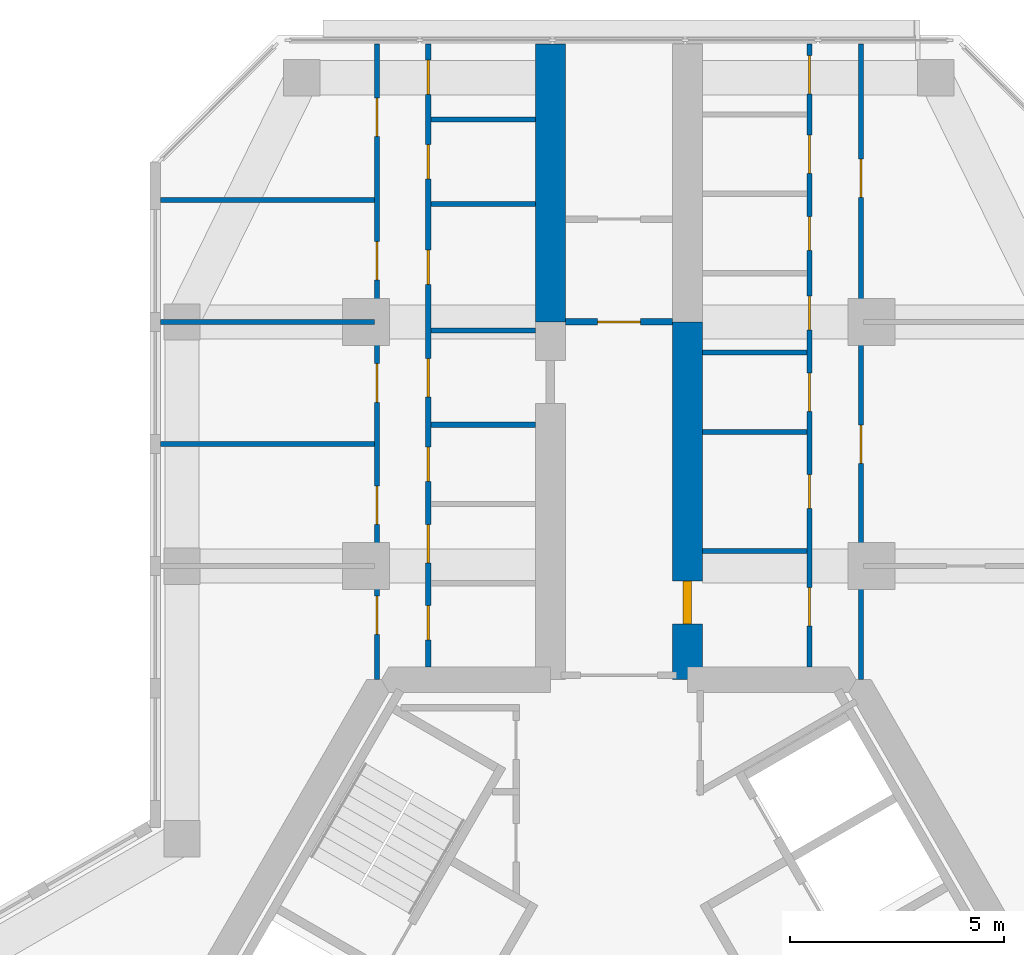
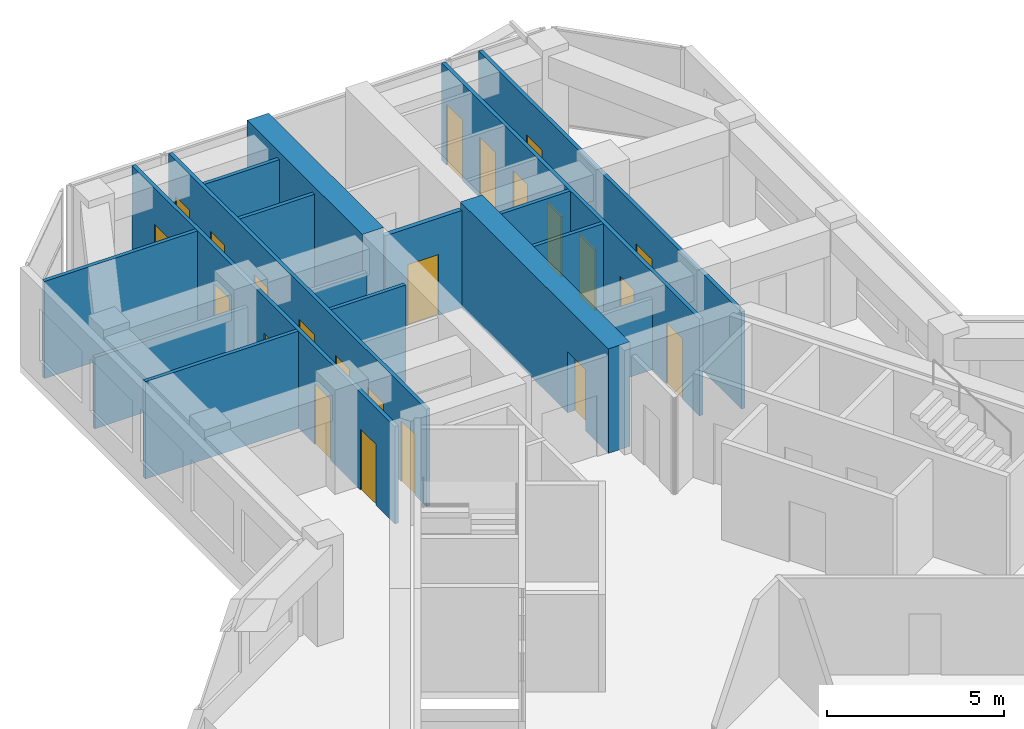
# One storey, part 14 of 16: 23 doors, 17 walls, 23 openings.
"""IFC4 building model written with IfcOpenShell, lengths in metres."""

from ifc_helpers import new_model, si_unit, direction, frame, frame_2d, origin, place, context, subcontext, project, spatial, rectangle, extrude, material, layer, layer_set, type_object, element, fill, save


model = new_model("IFC4")

# Units and contexts
model_context = context("Model", 3, precision=1e-05, world=origin(), true_north=direction((0.0, 1.0)))
body_context = subcontext(model_context, "Body", "Model", "MODEL_VIEW")
ifc_project = project(units=[si_unit("LENGTHUNIT", "METRE"), si_unit("AREAUNIT", "SQUARE_METRE"), si_unit("VOLUMEUNIT", "CUBIC_METRE"), si_unit("PLANEANGLEUNIT", "RADIAN"), si_unit("MASSUNIT", "GRAM", prefix="KILO")], contexts=[model_context])

# Site, building, storey
site_placement = place(None, origin())
site = spatial("IfcSite", under=ifc_project, at=site_placement, CompositionType="ELEMENT")
building_placement = place(site_placement, origin())
building = spatial("IfcBuilding", under=site, at=building_placement, Name="Kosmar Iwan School Tower", CompositionType="ELEMENT")
storey_placement = place(building_placement, frame((0.0, 0.0, 242.39990234375)))
storey = spatial("IfcBuildingStorey", under=building, at=storey_placement, Name="L61", CompositionType="ELEMENT", Elevation=242.39990234375)

# Wall
ifc_material_1 = material(Name="Concrete C50/60", Category="concrete")
ifc_layer_1 = layer(ifc_material_1, 0.699951171875)
ifc_layer_set_1 = layer_set([ifc_layer_1], Name="Corridor buttress wall 700")
wall_type_1 = type_object("IfcWallType", Name="Corridor buttress wall 700", PredefinedType="SHEAR", material=ifc_layer_set_1)
wall_1_placement = place(storey_placement, frame((-1.60009765625, 17.949951171875, 0.0), z_axis=(0.0, 0.0, 1.0), x_axis=(0.0, 1.0, 0.0)))
element("IfcWall", 1, at=wall_1_placement, inside=storey, type_object=wall_type_1, Name="Corridor wall AL bay 2", PredefinedType="SHEAR", context=body_context, shape_type="SweptSolid", body=[
    extrude(rectangle(XDim=6.4951171875, YDim=0.699951171875, at=frame_2d((3.24755859375, 0.0))), origin(), (0.0, 0.0, 1.0), 3.60009765625),
])

# Wall, opening, door
wall_2_placement = place(storey_placement, frame((1.60009765625, 9.60009765625, 0.0), z_axis=(0.0, 0.0, 1.0), x_axis=(0.0, 1.0, 0.0)))
wall_2 = element("IfcWall", 2, at=wall_2_placement, inside=storey, type_object=wall_type_1, Name="Corridor wall AR", PredefinedType="SHEAR", context=body_context, shape_type="SweptSolid", body=[
    extrude(rectangle(XDim=8.349853515625, YDim=0.699951171875, at=frame_2d((4.1748046875, 0.0))), origin(), (0.0, 0.0, 1.0), 3.60009765625),
])
opening_1_placement = place(wall_2_placement, frame((1.300048828125, 0.0, 0.0)))
opening_1 = element("IfcOpeningElement", 3, at=opening_1_placement, cuts=wall_2, Name="Opening D1", PredefinedType="OPENING", context=body_context, shape_type="SweptSolid", body=[
    extrude(rectangle(XDim=1.0, YDim=2.10009765625, at=frame_2d((0.5, 1.050048828125))), frame((0.0, 0.362060546875, 0.0), z_axis=(0.0, -1.0, 0.0), x_axis=(1.0, 0.0, 0.0)), (0.0, 0.0, 1.0), 0.723876953125),
])
ifc_material_2 = material(Name="Timber fire door in steel frame", Category="steel")
door_type_1 = type_object("IfcDoorType", Name="Flat entrance door 1000x2100", OperationType="SINGLE_SWING_LEFT", PredefinedType="DOOR", material=ifc_material_2)
door_1_placement = place(opening_1_placement, origin())
door_1 = element("IfcDoor", 4, at=door_1_placement, inside=storey, type_object=door_type_1, Name="Flat L61-AR1 entrance door", OperationType="SINGLE_SWING_LEFT", OverallHeight=2.10009765625, OverallWidth=1.0, PredefinedType="DOOR", context=body_context, shape_type="SweptSolid", body=[
    extrude(rectangle(XDim=1.0, YDim=2.10009765625, at=frame_2d((0.5, 1.050048828125))), frame((0.0, 0.10009765625, 0.0), z_axis=(0.0, -1.0, 0.0), x_axis=(1.0, 0.0, 0.0)), (0.0, 0.0, 1.0), 0.199951171875),
])
fill(opening_1, door_1)

ifc_material_3 = material(Name="Gypsum board on steel studs, fire-rated", Category="steel")
ifc_layer_2 = layer(ifc_material_3, 0.14990234375)
ifc_layer_set_2 = layer_set([ifc_layer_2], Name="Corridor end wall 150")
wall_type_2 = type_object("IfcWallType", Name="Corridor end wall 150", PredefinedType="PARTITIONING", material=ifc_layer_set_2)
wall_3_placement = place(storey_placement, frame((1.25, 17.949951171875, 0.0), z_axis=(0.0, 0.0, 1.0), x_axis=(-1.0, 0.0, 0.0)))
wall_3 = element("IfcWall", 5, at=wall_3_placement, inside=storey, type_object=wall_type_2, Name="Partition L61-A-HW", PredefinedType="PARTITIONING", context=body_context, shape_type="SweptSolid", body=[
    extrude(rectangle(XDim=2.5, YDim=0.14990234375, at=frame_2d((1.25, 0.0))), origin(), (0.0, 0.0, 1.0), 3.35009765625),
])
opening_2_placement = place(wall_3_placement, frame((0.75, 0.0, 0.0)))
opening_2 = element("IfcOpeningElement", 6, at=opening_2_placement, cuts=wall_3, Name="Opening D13", PredefinedType="OPENING", context=body_context, shape_type="SweptSolid", body=[
    extrude(rectangle(XDim=1.0, YDim=2.10009765625, at=frame_2d((0.5, 1.050048828125))), frame((0.0, 0.0869140625, 0.0), z_axis=(0.0, -1.0, 0.0), x_axis=(1.0, 0.0, 0.0)), (0.0, 0.0, 1.0), 0.173828125),
])
ifc_material_4 = material(Name="Timber fire door with vision panel", Category="wood")
door_type_2 = type_object("IfcDoorType", Name="Corridor end door 1000x2100", OperationType="SINGLE_SWING_LEFT", PredefinedType="DOOR", material=ifc_material_4)
door_2_placement = place(opening_2_placement, origin())
door_2 = element("IfcDoor", 7, at=door_2_placement, inside=storey, type_object=door_type_2, Name="Entrance door L61-A", OperationType="SINGLE_SWING_LEFT", OverallHeight=2.10009765625, OverallWidth=1.0, PredefinedType="DOOR", context=body_context, shape_type="SweptSolid", body=[
    extrude(rectangle(XDim=1.0, YDim=2.10009765625, at=frame_2d((0.5, 1.050048828125))), frame((0.0, 0.02490234375, 0.0), z_axis=(0.0, -1.0, 0.0), x_axis=(1.0, 0.0, 0.0)), (0.0, 0.0, 1.0), 0.050048828125),
])
fill(opening_2, door_2)

# Wall, openings, doors
ifc_material_5 = material(Name="Gypsum board on steel studs", Category="steel")
ifc_layer_3 = layer(ifc_material_5, 0.1201171875)
ifc_layer_set_3 = layer_set([ifc_layer_3], Name="Dwelling partition 120")
wall_type_3 = type_object("IfcWallType", Name="Dwelling partition 120", PredefinedType="PARTITIONING", material=ifc_layer_set_3)
wall_4_placement = place(storey_placement, frame((-4.449951171875, 9.89990234375, 0.0), z_axis=(0.0, 0.0, 1.0), x_axis=(0.0, 1.0, 0.0)))
wall_4 = element("IfcWall", 8, at=wall_4_placement, inside=storey, type_object=wall_type_3, Name="Partition L61-AL1-W1", PredefinedType="PARTITIONING", context=body_context, shape_type="SweptSolid", body=[
    extrude(rectangle(XDim=14.545166015625, YDim=0.1201171875, at=frame_2d((7.2724609375, 0.0))), origin(), (0.0, 0.0, 1.0), 3.35009765625),
])
opening_3_placement = place(wall_4_placement, frame((0.625, 0.0, 0.0)))
opening_3 = element("IfcOpeningElement", 9, at=opening_3_placement, cuts=wall_4, Name="Opening D3", PredefinedType="OPENING", context=body_context, shape_type="SweptSolid", body=[
    extrude(rectangle(XDim=0.800048828125, YDim=2.10009765625, at=frame_2d((0.39990234375, 1.050048828125))), frame((0.0, 0.072021484375, 0.0), z_axis=(0.0, -1.0, 0.0), x_axis=(1.0, 0.0, 0.0)), (0.0, 0.0, 1.0), 0.14404296875),
])
opening_4_placement = place(wall_4_placement, frame((2.425048828125, 0.0, 0.0)))
opening_4 = element("IfcOpeningElement", 10, at=opening_4_placement, cuts=wall_4, Name="Opening D2", PredefinedType="OPENING", context=body_context, shape_type="SweptSolid", body=[
    extrude(rectangle(XDim=0.89990234375, YDim=2.10009765625, at=frame_2d((0.449951171875, 1.050048828125))), frame((0.0, 0.072021484375, 0.0), z_axis=(0.0, -1.0, 0.0), x_axis=(1.0, 0.0, 0.0)), (0.0, 0.0, 1.0), 0.14404296875),
])
opening_5_placement = place(wall_4_placement, frame((4.324951171875, 0.0, 0.0)))
opening_5 = element("IfcOpeningElement", 11, at=opening_5_placement, cuts=wall_4, Name="Opening D3", PredefinedType="OPENING", context=body_context, shape_type="SweptSolid", body=[
    extrude(rectangle(XDim=0.800048828125, YDim=2.10009765625, at=frame_2d((0.39990234375, 1.050048828125))), frame((0.0, 0.072021484375, 0.0), z_axis=(0.0, -1.0, 0.0), x_axis=(1.0, 0.0, 0.0)), (0.0, 0.0, 1.0), 0.14404296875),
])
opening_6_placement = place(wall_4_placement, frame((6.300048828125, 0.0, 0.0)))
opening_6 = element("IfcOpeningElement", 12, at=opening_6_placement, cuts=wall_4, Name="Opening D2", PredefinedType="OPENING", context=body_context, shape_type="SweptSolid", body=[
    extrude(rectangle(XDim=0.89990234375, YDim=2.10009765625, at=frame_2d((0.449951171875, 1.050048828125))), frame((0.0, 0.072021484375, 0.0), z_axis=(0.0, -1.0, 0.0), x_axis=(1.0, 0.0, 0.0)), (0.0, 0.0, 1.0), 0.14404296875),
])
opening_7_placement = place(wall_4_placement, frame((8.928466796875, 0.0, 0.0)))
opening_7 = element("IfcOpeningElement", 13, at=opening_7_placement, cuts=wall_4, Name="Opening D3", PredefinedType="OPENING", context=body_context, shape_type="SweptSolid", body=[
    extrude(rectangle(XDim=0.800048828125, YDim=2.10009765625, at=frame_2d((0.39990234375, 1.050048828125))), frame((0.0, 0.072021484375, 0.0), z_axis=(0.0, -1.0, 0.0), x_axis=(1.0, 0.0, 0.0)), (0.0, 0.0, 1.0), 0.14404296875),
])
opening_8_placement = place(wall_4_placement, frame((11.392822265625, 0.0, 0.0)))
opening_8 = element("IfcOpeningElement", 14, at=opening_8_placement, cuts=wall_4, Name="Opening D3", PredefinedType="OPENING", context=body_context, shape_type="SweptSolid", body=[
    extrude(rectangle(XDim=0.800048828125, YDim=2.10009765625, at=frame_2d((0.39990234375, 1.050048828125))), frame((0.0, 0.072021484375, 0.0), z_axis=(0.0, -1.0, 0.0), x_axis=(1.0, 0.0, 0.0)), (0.0, 0.0, 1.0), 0.14404296875),
])
opening_9_placement = place(wall_4_placement, frame((13.3642578125, 0.0, 0.0)))
opening_9 = element("IfcOpeningElement", 15, at=opening_9_placement, cuts=wall_4, Name="Opening D3", PredefinedType="OPENING", context=body_context, shape_type="SweptSolid", body=[
    extrude(rectangle(XDim=0.800048828125, YDim=2.10009765625, at=frame_2d((0.39990234375, 1.050048828125))), frame((0.0, 0.072021484375, 0.0), z_axis=(0.0, -1.0, 0.0), x_axis=(1.0, 0.0, 0.0)), (0.0, 0.0, 1.0), 0.14404296875),
])
ifc_material_6 = material(Name="Timber door in timber frame", Category="wood")
door_type_3 = type_object("IfcDoorType", Name="Internal door 900x2100", OperationType="SINGLE_SWING_LEFT", PredefinedType="DOOR", material=ifc_material_6)
door_3_placement = place(opening_4_placement, origin())
door_3 = element("IfcDoor", 16, at=door_3_placement, inside=storey, type_object=door_type_3, Name="Pantry door L61-AL1-S2", OperationType="SINGLE_SWING_RIGHT", OverallHeight=2.10009765625, OverallWidth=0.89990234375, PredefinedType="DOOR", context=body_context, shape_type="SweptSolid", body=[
    extrude(rectangle(XDim=0.89990234375, YDim=2.10009765625, at=frame_2d((0.449951171875, 1.050048828125))), frame((0.0, 0.02490234375, 0.0), z_axis=(0.0, -1.0, 0.0), x_axis=(1.0, 0.0, 0.0)), (0.0, 0.0, 1.0), 0.050048828125),
])
fill(opening_4, door_3)
door_4_placement = place(opening_6_placement, origin())
door_4 = element("IfcDoor", 17, at=door_4_placement, inside=storey, type_object=door_type_3, Name="Entrance hall door L61-AL1-S4", OperationType="SINGLE_SWING_LEFT", OverallHeight=2.10009765625, OverallWidth=0.89990234375, PredefinedType="DOOR", context=body_context, shape_type="SweptSolid", body=[
    extrude(rectangle(XDim=0.89990234375, YDim=2.10009765625, at=frame_2d((0.449951171875, 1.050048828125))), frame((0.0, 0.02490234375, 0.0), z_axis=(0.0, -1.0, 0.0), x_axis=(1.0, 0.0, 0.0)), (0.0, 0.0, 1.0), 0.050048828125),
])
fill(opening_6, door_4)
ifc_material_7 = material(Name="Timber door in timber frame", Category="wood")
door_type_4 = type_object("IfcDoorType", Name="Sanitary room door 800x2100", OperationType="SINGLE_SWING_LEFT", PredefinedType="DOOR", material=ifc_material_7)
door_5_placement = place(opening_3_placement, origin())
door_5 = element("IfcDoor", 18, at=door_5_placement, inside=storey, type_object=door_type_4, Name="Store door L61-AL1-S1", OperationType="SINGLE_SWING_LEFT", OverallHeight=2.10009765625, OverallWidth=0.800048828125, PredefinedType="DOOR", context=body_context, shape_type="SweptSolid", body=[
    extrude(rectangle(XDim=0.800048828125, YDim=2.10009765625, at=frame_2d((0.39990234375, 1.050048828125))), frame((0.0, 0.02490234375, 0.0), z_axis=(0.0, -1.0, 0.0), x_axis=(1.0, 0.0, 0.0)), (0.0, 0.0, 1.0), 0.050048828125),
])
fill(opening_3, door_5)
door_6_placement = place(opening_5_placement, origin())
door_6 = element("IfcDoor", 19, at=door_6_placement, inside=storey, type_object=door_type_4, Name="Grandparents' shower room door L61-AL1-S3", OperationType="SINGLE_SWING_LEFT", OverallHeight=2.10009765625, OverallWidth=0.800048828125, PredefinedType="DOOR", context=body_context, shape_type="SweptSolid", body=[
    extrude(rectangle(XDim=0.800048828125, YDim=2.10009765625, at=frame_2d((0.39990234375, 1.050048828125))), frame((0.0, 0.02490234375, 0.0), z_axis=(0.0, -1.0, 0.0), x_axis=(1.0, 0.0, 0.0)), (0.0, 0.0, 1.0), 0.050048828125),
])
fill(opening_5, door_6)
door_7_placement = place(opening_7_placement, origin())
door_7 = element("IfcDoor", 20, at=door_7_placement, inside=storey, type_object=door_type_4, Name="Bathroom door L61-AL1-S5", OperationType="SINGLE_SWING_RIGHT", OverallHeight=2.10009765625, OverallWidth=0.800048828125, PredefinedType="DOOR", context=body_context, shape_type="SweptSolid", body=[
    extrude(rectangle(XDim=0.800048828125, YDim=2.10009765625, at=frame_2d((0.39990234375, 1.050048828125))), frame((0.0, 0.02490234375, 0.0), z_axis=(0.0, -1.0, 0.0), x_axis=(1.0, 0.0, 0.0)), (0.0, 0.0, 1.0), 0.050048828125),
])
fill(opening_7, door_7)
door_8_placement = place(opening_8_placement, origin())
door_8 = element("IfcDoor", 21, at=door_8_placement, inside=storey, type_object=door_type_4, Name="Shower room door L61-AL1-S6", OperationType="SINGLE_SWING_RIGHT", OverallHeight=2.10009765625, OverallWidth=0.800048828125, PredefinedType="DOOR", context=body_context, shape_type="SweptSolid", body=[
    extrude(rectangle(XDim=0.800048828125, YDim=2.10009765625, at=frame_2d((0.39990234375, 1.050048828125))), frame((0.0, 0.02490234375, 0.0), z_axis=(0.0, -1.0, 0.0), x_axis=(1.0, 0.0, 0.0)), (0.0, 0.0, 1.0), 0.050048828125),
])
fill(opening_8, door_8)
door_9_placement = place(opening_9_placement, origin())
door_9 = element("IfcDoor", 22, at=door_9_placement, inside=storey, type_object=door_type_4, Name="WC door L61-AL1-S7", OperationType="SINGLE_SWING_RIGHT", OverallHeight=2.10009765625, OverallWidth=0.800048828125, PredefinedType="DOOR", context=body_context, shape_type="SweptSolid", body=[
    extrude(rectangle(XDim=0.800048828125, YDim=2.10009765625, at=frame_2d((0.39990234375, 1.050048828125))), frame((0.0, 0.02490234375, 0.0), z_axis=(0.0, -1.0, 0.0), x_axis=(1.0, 0.0, 0.0)), (0.0, 0.0, 1.0), 0.050048828125),
])
fill(opening_9, door_9)

wall_5_placement = place(storey_placement, frame((-5.64990234375, 9.60009765625, 0.0), z_axis=(0.0, 0.0, 1.0), x_axis=(0.0, 1.0, 0.0)))
wall_5 = element("IfcWall", 23, at=wall_5_placement, inside=storey, type_object=wall_type_3, Name="Partition L61-AL1-W2", PredefinedType="PARTITIONING", context=body_context, shape_type="SweptSolid", body=[
    extrude(rectangle(XDim=14.844970703125, YDim=0.1201171875, at=frame_2d((7.42236328125, 0.0))), origin(), (0.0, 0.0, 1.0), 3.35009765625),
])
opening_10_placement = place(wall_5_placement, frame((1.050048828125, 0.0, 0.0)))
opening_10 = element("IfcOpeningElement", 24, at=opening_10_placement, cuts=wall_5, Name="Opening D2", PredefinedType="OPENING", context=body_context, shape_type="SweptSolid", body=[
    extrude(rectangle(XDim=0.89990234375, YDim=2.10009765625, at=frame_2d((0.449951171875, 1.050048828125))), frame((0.0, 0.072021484375, 0.0), z_axis=(0.0, -1.0, 0.0), x_axis=(1.0, 0.0, 0.0)), (0.0, 0.0, 1.0), 0.14404296875),
])
opening_11_placement = place(wall_5_placement, frame((3.625, 0.0, 0.0)))
opening_11 = element("IfcOpeningElement", 25, at=opening_11_placement, cuts=wall_5, Name="Opening D2", PredefinedType="OPENING", context=body_context, shape_type="SweptSolid", body=[
    extrude(rectangle(XDim=0.89990234375, YDim=2.10009765625, at=frame_2d((0.449951171875, 1.050048828125))), frame((0.0, 0.072021484375, 0.0), z_axis=(0.0, -1.0, 0.0), x_axis=(1.0, 0.0, 0.0)), (0.0, 0.0, 1.0), 0.14404296875),
])
opening_12_placement = place(wall_5_placement, frame((6.47509765625, 0.0, 0.0)))
opening_12 = element("IfcOpeningElement", 26, at=opening_12_placement, cuts=wall_5, Name="Opening D2", PredefinedType="OPENING", context=body_context, shape_type="SweptSolid", body=[
    extrude(rectangle(XDim=0.89990234375, YDim=2.10009765625, at=frame_2d((0.449951171875, 1.050048828125))), frame((0.0, 0.072021484375, 0.0), z_axis=(0.0, -1.0, 0.0), x_axis=(1.0, 0.0, 0.0)), (0.0, 0.0, 1.0), 0.14404296875),
])
opening_13_placement = place(wall_5_placement, frame((9.324951171875, 0.0, 0.0)))
opening_13 = element("IfcOpeningElement", 27, at=opening_13_placement, cuts=wall_5, Name="Opening D2", PredefinedType="OPENING", context=body_context, shape_type="SweptSolid", body=[
    extrude(rectangle(XDim=0.89990234375, YDim=2.10009765625, at=frame_2d((0.449951171875, 1.050048828125))), frame((0.0, 0.072021484375, 0.0), z_axis=(0.0, -1.0, 0.0), x_axis=(1.0, 0.0, 0.0)), (0.0, 0.0, 1.0), 0.14404296875),
])
opening_14_placement = place(wall_5_placement, frame((12.675048828125, 0.0, 0.0)))
opening_14 = element("IfcOpeningElement", 28, at=opening_14_placement, cuts=wall_5, Name="Opening D2", PredefinedType="OPENING", context=body_context, shape_type="SweptSolid", body=[
    extrude(rectangle(XDim=0.89990234375, YDim=2.10009765625, at=frame_2d((0.449951171875, 1.050048828125))), frame((0.0, 0.072021484375, 0.0), z_axis=(0.0, -1.0, 0.0), x_axis=(1.0, 0.0, 0.0)), (0.0, 0.0, 1.0), 0.14404296875),
])
door_10_placement = place(opening_10_placement, origin())
door_10 = element("IfcDoor", 29, at=door_10_placement, inside=storey, type_object=door_type_3, Name="Living room and kitchen door L61-AL1-F1", OperationType="SINGLE_SWING_LEFT", OverallHeight=2.10009765625, OverallWidth=0.89990234375, PredefinedType="DOOR", context=body_context, shape_type="SweptSolid", body=[
    extrude(rectangle(XDim=0.89990234375, YDim=2.10009765625, at=frame_2d((0.449951171875, 1.050048828125))), frame((0.0, 0.02490234375, 0.0), z_axis=(0.0, -1.0, 0.0), x_axis=(1.0, 0.0, 0.0)), (0.0, 0.0, 1.0), 0.050048828125),
])
fill(opening_10, door_10)
door_11_placement = place(opening_11_placement, origin())
door_11 = element("IfcDoor", 30, at=door_11_placement, inside=storey, type_object=door_type_3, Name="Study door L61-AL1-F2", OperationType="SINGLE_SWING_LEFT", OverallHeight=2.10009765625, OverallWidth=0.89990234375, PredefinedType="DOOR", context=body_context, shape_type="SweptSolid", body=[
    extrude(rectangle(XDim=0.89990234375, YDim=2.10009765625, at=frame_2d((0.449951171875, 1.050048828125))), frame((0.0, 0.02490234375, 0.0), z_axis=(0.0, -1.0, 0.0), x_axis=(1.0, 0.0, 0.0)), (0.0, 0.0, 1.0), 0.050048828125),
])
fill(opening_11, door_11)
door_12_placement = place(opening_12_placement, origin())
door_12 = element("IfcDoor", 31, at=door_12_placement, inside=storey, type_object=door_type_3, Name="Bedroom 2 door L61-AL1-F3", OperationType="SINGLE_SWING_RIGHT", OverallHeight=2.10009765625, OverallWidth=0.89990234375, PredefinedType="DOOR", context=body_context, shape_type="SweptSolid", body=[
    extrude(rectangle(XDim=0.89990234375, YDim=2.10009765625, at=frame_2d((0.449951171875, 1.050048828125))), frame((0.0, 0.02490234375, 0.0), z_axis=(0.0, -1.0, 0.0), x_axis=(1.0, 0.0, 0.0)), (0.0, 0.0, 1.0), 0.050048828125),
])
fill(opening_12, door_12)
door_13_placement = place(opening_13_placement, origin())
door_13 = element("IfcDoor", 32, at=door_13_placement, inside=storey, type_object=door_type_3, Name="Grandparents' suite door L61-AL1-F4", OperationType="SINGLE_SWING_LEFT", OverallHeight=2.10009765625, OverallWidth=0.89990234375, PredefinedType="DOOR", context=body_context, shape_type="SweptSolid", body=[
    extrude(rectangle(XDim=0.89990234375, YDim=2.10009765625, at=frame_2d((0.449951171875, 1.050048828125))), frame((0.0, 0.02490234375, 0.0), z_axis=(0.0, -1.0, 0.0), x_axis=(1.0, 0.0, 0.0)), (0.0, 0.0, 1.0), 0.050048828125),
])
fill(opening_13, door_13)
door_14_placement = place(opening_14_placement, origin())
door_14 = element("IfcDoor", 33, at=door_14_placement, inside=storey, type_object=door_type_3, Name="Bedroom 1 door L61-AL1-F5", OperationType="SINGLE_SWING_RIGHT", OverallHeight=2.10009765625, OverallWidth=0.89990234375, PredefinedType="DOOR", context=body_context, shape_type="SweptSolid", body=[
    extrude(rectangle(XDim=0.89990234375, YDim=2.10009765625, at=frame_2d((0.449951171875, 1.050048828125))), frame((0.0, 0.02490234375, 0.0), z_axis=(0.0, -1.0, 0.0), x_axis=(1.0, 0.0, 0.0)), (0.0, 0.0, 1.0), 0.050048828125),
])
fill(opening_14, door_14)

# Walls
wall_6_placement = place(storey_placement, frame((-5.7099609375, 15.10009765625, 0.0), z_axis=(0.0, 0.0, 1.0), x_axis=(-1.0, 0.0, 0.0)))
element("IfcWall", 34, at=wall_6_placement, inside=storey, type_object=wall_type_3, Name="Partition L61-AL1-X2", PredefinedType="PARTITIONING", context=body_context, shape_type="SweptSolid", body=[
    extrude(rectangle(XDim=4.989990234375, YDim=0.1201171875, at=frame_2d((2.4951171875, 0.0))), origin(), (0.0, 0.0, 1.0), 3.35009765625),
])
wall_7_placement = place(storey_placement, frame((-5.7099609375, 17.949951171875, 0.0), z_axis=(0.0, 0.0, 1.0), x_axis=(-1.0, 0.0, 0.0)))
element("IfcWall", 35, at=wall_7_placement, inside=storey, type_object=wall_type_3, Name="Partition L61-AL1-X3", PredefinedType="PARTITIONING", context=body_context, shape_type="SweptSolid", body=[
    extrude(rectangle(XDim=4.989990234375, YDim=0.1201171875, at=frame_2d((2.4951171875, 0.0))), origin(), (0.0, 0.0, 1.0), 2.4501953125),
])
wall_8_placement = place(storey_placement, frame((-5.7099609375, 20.800048828125, 0.0), z_axis=(0.0, 0.0, 1.0), x_axis=(-1.0, 0.0, 0.0)))
element("IfcWall", 36, at=wall_8_placement, inside=storey, type_object=wall_type_3, Name="Partition L61-AL1-X4", PredefinedType="PARTITIONING", context=body_context, shape_type="SweptSolid", body=[
    extrude(rectangle(XDim=4.989990234375, YDim=0.1201171875, at=frame_2d((2.4951171875, 0.0))), origin(), (0.0, 0.0, 1.0), 3.35009765625),
])
wall_9_placement = place(storey_placement, frame((-1.949951171875, 15.550048828125, 0.0), z_axis=(0.0, 0.0, 1.0), x_axis=(-1.0, 0.0, 0.0)))
element("IfcWall", 37, at=wall_9_placement, inside=storey, type_object=wall_type_3, Name="Partition L61-AL1-Y3", PredefinedType="PARTITIONING", context=body_context, shape_type="SweptSolid", body=[
    extrude(rectangle(XDim=2.43994140625, YDim=0.1201171875, at=frame_2d((1.219970703125, 0.0))), origin(), (0.0, 0.0, 1.0), 3.35009765625),
])
wall_10_placement = place(storey_placement, frame((-1.949951171875, 17.75, 0.0), z_axis=(0.0, 0.0, 1.0), x_axis=(-1.0, 0.0, 0.0)))
element("IfcWall", 38, at=wall_10_placement, inside=storey, type_object=wall_type_3, Name="Partition L61-AL1-Y4", PredefinedType="PARTITIONING", context=body_context, shape_type="SweptSolid", body=[
    extrude(rectangle(XDim=2.43994140625, YDim=0.1201171875, at=frame_2d((1.219970703125, 0.0))), origin(), (0.0, 0.0, 1.0), 2.4501953125),
])
for number, where, z_axis, x_axis, name in (
    (39, (-1.949951171875, 20.70703125, 0.0), (0.0, 0.0, 1.0), (-1.0, 0.0, 0.0), "Partition L61-AL1-Y5"),
    (40, (-1.949951171875, 22.678466796875, 0.0), (0.0, 0.0, 1.0), (-1.0, 0.0, 0.0), "Partition L61-AL1-Y6"),
):
    element("IfcWall", number, at=place(storey_placement, frame(where, z_axis=z_axis, x_axis=x_axis)), inside=storey, type_object=wall_type_3, Name=name, PredefinedType="PARTITIONING", context=body_context, shape_type="SweptSolid", body=[
        extrude(rectangle(XDim=2.43994140625, YDim=0.1201171875, at=frame_2d((1.219970703125, 0.0))), origin(), (0.0, 0.0, 1.0), 3.35009765625),
    ])

# Wall, openings, doors
wall_11_placement = place(storey_placement, frame((4.449951171875, 9.89990234375, 0.0), z_axis=(0.0, 0.0, 1.0), x_axis=(0.0, 1.0, 0.0)))
wall_11 = element("IfcWall", 41, at=wall_11_placement, inside=storey, type_object=wall_type_3, Name="Partition L61-AR1-W1", PredefinedType="PARTITIONING", context=body_context, shape_type="SweptSolid", body=[
    extrude(rectangle(XDim=14.545166015625, YDim=0.1201171875, at=frame_2d((7.2724609375, 0.0))), origin(), (0.0, 0.0, 1.0), 3.35009765625),
])
opening_15_placement = place(wall_11_placement, frame((0.949951171875, 0.0, 0.0)))
opening_15 = element("IfcOpeningElement", 42, at=opening_15_placement, cuts=wall_11, Name="Opening D2", PredefinedType="OPENING", context=body_context, shape_type="SweptSolid", body=[
    extrude(rectangle(XDim=0.89990234375, YDim=2.10009765625, at=frame_2d((0.449951171875, 1.050048828125))), frame((0.0, 0.072021484375, 0.0), z_axis=(0.0, -1.0, 0.0), x_axis=(1.0, 0.0, 0.0)), (0.0, 0.0, 1.0), 0.14404296875),
])
opening_16_placement = place(wall_11_placement, frame((3.6904296875, 0.0, 0.0)))
opening_16 = element("IfcOpeningElement", 43, at=opening_16_placement, cuts=wall_11, Name="Opening D3", PredefinedType="OPENING", context=body_context, shape_type="SweptSolid", body=[
    extrude(rectangle(XDim=0.800048828125, YDim=2.10009765625, at=frame_2d((0.39990234375, 1.050048828125))), frame((0.0, 0.072021484375, 0.0), z_axis=(0.0, -1.0, 0.0), x_axis=(1.0, 0.0, 0.0)), (0.0, 0.0, 1.0), 0.14404296875),
])
opening_17_placement = place(wall_11_placement, frame((5.957763671875, 0.0, 0.0)))
opening_17 = element("IfcOpeningElement", 44, at=opening_17_placement, cuts=wall_11, Name="Opening D2", PredefinedType="OPENING", context=body_context, shape_type="SweptSolid", body=[
    extrude(rectangle(XDim=0.89990234375, YDim=2.10009765625, at=frame_2d((0.449951171875, 1.050048828125))), frame((0.0, 0.072021484375, 0.0), z_axis=(0.0, -1.0, 0.0), x_axis=(1.0, 0.0, 0.0)), (0.0, 0.0, 1.0), 0.14404296875),
])
opening_18_placement = place(wall_11_placement, frame((7.861572265625, 0.0, 0.0)))
opening_18 = element("IfcOpeningElement", 45, at=opening_18_placement, cuts=wall_11, Name="Opening D3", PredefinedType="OPENING", context=body_context, shape_type="SweptSolid", body=[
    extrude(rectangle(XDim=0.800048828125, YDim=2.10009765625, at=frame_2d((0.39990234375, 1.050048828125))), frame((0.0, 0.072021484375, 0.0), z_axis=(0.0, -1.0, 0.0), x_axis=(1.0, 0.0, 0.0)), (0.0, 0.0, 1.0), 0.14404296875),
])
opening_19_placement = place(wall_11_placement, frame((9.71533203125, 0.0, 0.0)))
opening_19 = element("IfcOpeningElement", 46, at=opening_19_placement, cuts=wall_11, Name="Opening D3", PredefinedType="OPENING", context=body_context, shape_type="SweptSolid", body=[
    extrude(rectangle(XDim=0.800048828125, YDim=2.10009765625, at=frame_2d((0.39990234375, 1.050048828125))), frame((0.0, 0.072021484375, 0.0), z_axis=(0.0, -1.0, 0.0), x_axis=(1.0, 0.0, 0.0)), (0.0, 0.0, 1.0), 0.14404296875),
])
opening_20_placement = place(wall_11_placement, frame((11.519287109375, 0.0, 0.0)))
opening_20 = element("IfcOpeningElement", 47, at=opening_20_placement, cuts=wall_11, Name="Opening D2", PredefinedType="OPENING", context=body_context, shape_type="SweptSolid", body=[
    extrude(rectangle(XDim=0.89990234375, YDim=2.10009765625, at=frame_2d((0.449951171875, 1.050048828125))), frame((0.0, 0.072021484375, 0.0), z_axis=(0.0, -1.0, 0.0), x_axis=(1.0, 0.0, 0.0)), (0.0, 0.0, 1.0), 0.14404296875),
])
opening_21_placement = place(wall_11_placement, frame((13.373046875, 0.0, 0.0)))
opening_21 = element("IfcOpeningElement", 48, at=opening_21_placement, cuts=wall_11, Name="Opening D2", PredefinedType="OPENING", context=body_context, shape_type="SweptSolid", body=[
    extrude(rectangle(XDim=0.89990234375, YDim=2.10009765625, at=frame_2d((0.449951171875, 1.050048828125))), frame((0.0, 0.072021484375, 0.0), z_axis=(0.0, -1.0, 0.0), x_axis=(1.0, 0.0, 0.0)), (0.0, 0.0, 1.0), 0.14404296875),
])
door_15_placement = place(opening_15_placement, origin())
door_15 = element("IfcDoor", 49, at=door_15_placement, inside=storey, type_object=door_type_3, Name="Entrance hall door L61-AR1-S1", OperationType="SINGLE_SWING_RIGHT", OverallHeight=2.10009765625, OverallWidth=0.89990234375, PredefinedType="DOOR", context=body_context, shape_type="SweptSolid", body=[
    extrude(rectangle(XDim=0.89990234375, YDim=2.10009765625, at=frame_2d((0.449951171875, 1.050048828125))), frame((0.0, 0.02490234375, 0.0), z_axis=(0.0, -1.0, 0.0), x_axis=(1.0, 0.0, 0.0)), (0.0, 0.0, 1.0), 0.050048828125),
])
fill(opening_15, door_15)
door_16_placement = place(opening_17_placement, origin())
door_16 = element("IfcDoor", 50, at=door_16_placement, inside=storey, type_object=door_type_3, Name="Pantry door L61-AR1-S3", OperationType="SINGLE_SWING_RIGHT", OverallHeight=2.10009765625, OverallWidth=0.89990234375, PredefinedType="DOOR", context=body_context, shape_type="SweptSolid", body=[
    extrude(rectangle(XDim=0.89990234375, YDim=2.10009765625, at=frame_2d((0.449951171875, 1.050048828125))), frame((0.0, 0.02490234375, 0.0), z_axis=(0.0, -1.0, 0.0), x_axis=(1.0, 0.0, 0.0)), (0.0, 0.0, 1.0), 0.050048828125),
])
fill(opening_17, door_16)
door_17_placement = place(opening_20_placement, origin())
door_17 = element("IfcDoor", 51, at=door_17_placement, inside=storey, type_object=door_type_3, Name="Utility room door L61-AR1-S6", OperationType="SINGLE_SWING_LEFT", OverallHeight=2.10009765625, OverallWidth=0.89990234375, PredefinedType="DOOR", context=body_context, shape_type="SweptSolid", body=[
    extrude(rectangle(XDim=0.89990234375, YDim=2.10009765625, at=frame_2d((0.449951171875, 1.050048828125))), frame((0.0, 0.02490234375, 0.0), z_axis=(0.0, -1.0, 0.0), x_axis=(1.0, 0.0, 0.0)), (0.0, 0.0, 1.0), 0.050048828125),
])
fill(opening_20, door_17)
door_18_placement = place(opening_21_placement, origin())
door_18 = element("IfcDoor", 52, at=door_18_placement, inside=storey, type_object=door_type_3, Name="Dressing room door L61-AR1-S7", OperationType="SINGLE_SWING_RIGHT", OverallHeight=2.10009765625, OverallWidth=0.89990234375, PredefinedType="DOOR", context=body_context, shape_type="SweptSolid", body=[
    extrude(rectangle(XDim=0.89990234375, YDim=2.10009765625, at=frame_2d((0.449951171875, 1.050048828125))), frame((0.0, 0.02490234375, 0.0), z_axis=(0.0, -1.0, 0.0), x_axis=(1.0, 0.0, 0.0)), (0.0, 0.0, 1.0), 0.050048828125),
])
fill(opening_21, door_18)
door_19_placement = place(opening_16_placement, origin())
door_19 = element("IfcDoor", 53, at=door_19_placement, inside=storey, type_object=door_type_4, Name="Bathroom door L61-AR1-S2", OperationType="SINGLE_SWING_LEFT", OverallHeight=2.10009765625, OverallWidth=0.800048828125, PredefinedType="DOOR", context=body_context, shape_type="SweptSolid", body=[
    extrude(rectangle(XDim=0.800048828125, YDim=2.10009765625, at=frame_2d((0.39990234375, 1.050048828125))), frame((0.0, 0.02490234375, 0.0), z_axis=(0.0, -1.0, 0.0), x_axis=(1.0, 0.0, 0.0)), (0.0, 0.0, 1.0), 0.050048828125),
])
fill(opening_16, door_19)
door_20_placement = place(opening_18_placement, origin())
door_20 = element("IfcDoor", 54, at=door_20_placement, inside=storey, type_object=door_type_4, Name="WC door L61-AR1-S4", OperationType="SINGLE_SWING_LEFT", OverallHeight=2.10009765625, OverallWidth=0.800048828125, PredefinedType="DOOR", context=body_context, shape_type="SweptSolid", body=[
    extrude(rectangle(XDim=0.800048828125, YDim=2.10009765625, at=frame_2d((0.39990234375, 1.050048828125))), frame((0.0, 0.02490234375, 0.0), z_axis=(0.0, -1.0, 0.0), x_axis=(1.0, 0.0, 0.0)), (0.0, 0.0, 1.0), 0.050048828125),
])
fill(opening_18, door_20)
door_21_placement = place(opening_19_placement, origin())
door_21 = element("IfcDoor", 55, at=door_21_placement, inside=storey, type_object=door_type_4, Name="Store door L61-AR1-S5", OperationType="SINGLE_SWING_RIGHT", OverallHeight=2.10009765625, OverallWidth=0.800048828125, PredefinedType="DOOR", context=body_context, shape_type="SweptSolid", body=[
    extrude(rectangle(XDim=0.800048828125, YDim=2.10009765625, at=frame_2d((0.39990234375, 1.050048828125))), frame((0.0, 0.02490234375, 0.0), z_axis=(0.0, -1.0, 0.0), x_axis=(1.0, 0.0, 0.0)), (0.0, 0.0, 1.0), 0.050048828125),
])
fill(opening_19, door_21)

wall_12_placement = place(storey_placement, frame((5.64990234375, 9.60009765625, 0.0), z_axis=(0.0, 0.0, 1.0), x_axis=(0.0, 1.0, 0.0)))
wall_12 = element("IfcWall", 56, at=wall_12_placement, inside=storey, type_object=wall_type_3, Name="Partition L61-AR1-W2", PredefinedType="PARTITIONING", context=body_context, shape_type="SweptSolid", body=[
    extrude(rectangle(XDim=14.844970703125, YDim=0.1201171875, at=frame_2d((7.42236328125, 0.0))), origin(), (0.0, 0.0, 1.0), 3.35009765625),
])
opening_22_placement = place(wall_12_placement, frame((5.050048828125, 0.0, 0.0)))
opening_22 = element("IfcOpeningElement", 57, at=opening_22_placement, cuts=wall_12, Name="Opening D2", PredefinedType="OPENING", context=body_context, shape_type="SweptSolid", body=[
    extrude(rectangle(XDim=0.89990234375, YDim=2.10009765625, at=frame_2d((0.449951171875, 1.050048828125))), frame((0.0, 0.072021484375, 0.0), z_axis=(0.0, -1.0, 0.0), x_axis=(1.0, 0.0, 0.0)), (0.0, 0.0, 1.0), 0.14404296875),
])
opening_23_placement = place(wall_12_placement, frame((11.25, 0.0, 0.0)))
opening_23 = element("IfcOpeningElement", 58, at=opening_23_placement, cuts=wall_12, Name="Opening D2", PredefinedType="OPENING", context=body_context, shape_type="SweptSolid", body=[
    extrude(rectangle(XDim=0.89990234375, YDim=2.10009765625, at=frame_2d((0.449951171875, 1.050048828125))), frame((0.0, 0.072021484375, 0.0), z_axis=(0.0, -1.0, 0.0), x_axis=(1.0, 0.0, 0.0)), (0.0, 0.0, 1.0), 0.14404296875),
])
door_22_placement = place(opening_22_placement, origin())
door_22 = element("IfcDoor", 59, at=door_22_placement, inside=storey, type_object=door_type_3, Name="Family room door L61-AR1-F2", OperationType="SINGLE_SWING_LEFT", OverallHeight=2.10009765625, OverallWidth=0.89990234375, PredefinedType="DOOR", context=body_context, shape_type="SweptSolid", body=[
    extrude(rectangle(XDim=0.89990234375, YDim=2.10009765625, at=frame_2d((0.449951171875, 1.050048828125))), frame((0.0, 0.02490234375, 0.0), z_axis=(0.0, -1.0, 0.0), x_axis=(1.0, 0.0, 0.0)), (0.0, 0.0, 1.0), 0.050048828125),
])
fill(opening_22, door_22)
door_23_placement = place(opening_23_placement, origin())
door_23 = element("IfcDoor", 60, at=door_23_placement, inside=storey, type_object=door_type_3, Name="Bedroom 1 door L61-AR1-F3", OperationType="SINGLE_SWING_RIGHT", OverallHeight=2.10009765625, OverallWidth=0.89990234375, PredefinedType="DOOR", context=body_context, shape_type="SweptSolid", body=[
    extrude(rectangle(XDim=0.89990234375, YDim=2.10009765625, at=frame_2d((0.449951171875, 1.050048828125))), frame((0.0, 0.02490234375, 0.0), z_axis=(0.0, -1.0, 0.0), x_axis=(1.0, 0.0, 0.0)), (0.0, 0.0, 1.0), 0.050048828125),
])
fill(opening_23, door_23)

# Walls
wall_13_placement = place(storey_placement, frame((1.949951171875, 12.60009765625, 0.0), z_axis=(0.0, 0.0, 1.0), x_axis=(1.0, 0.0, 0.0)))
element("IfcWall", 61, at=wall_13_placement, inside=storey, type_object=wall_type_3, Name="Partition L61-AR1-Y1", PredefinedType="PARTITIONING", context=body_context, shape_type="SweptSolid", body=[
    extrude(rectangle(XDim=2.43994140625, YDim=0.1201171875, at=frame_2d((1.219970703125, 0.0))), origin(), (0.0, 0.0, 1.0), 2.4501953125),
])
for number, where, z_axis, x_axis, name in (
    (62, (1.949951171875, 15.380859375, 0.0), (0.0, 0.0, 1.0), (1.0, 0.0, 0.0), "Partition L61-AR1-Y2"),
    (63, (1.949951171875, 17.234619140625, 0.0), (0.0, 0.0, 1.0), (1.0, 0.0, 0.0), "Partition L61-AR1-Y3"),
):
    element("IfcWall", number, at=place(storey_placement, frame(where, z_axis=z_axis, x_axis=x_axis)), inside=storey, type_object=wall_type_3, Name=name, PredefinedType="PARTITIONING", context=body_context, shape_type="SweptSolid", body=[
        extrude(rectangle(XDim=2.43994140625, YDim=0.1201171875, at=frame_2d((1.219970703125, 0.0))), origin(), (0.0, 0.0, 1.0), 3.35009765625),
    ])

save(model, "model.ifc")
